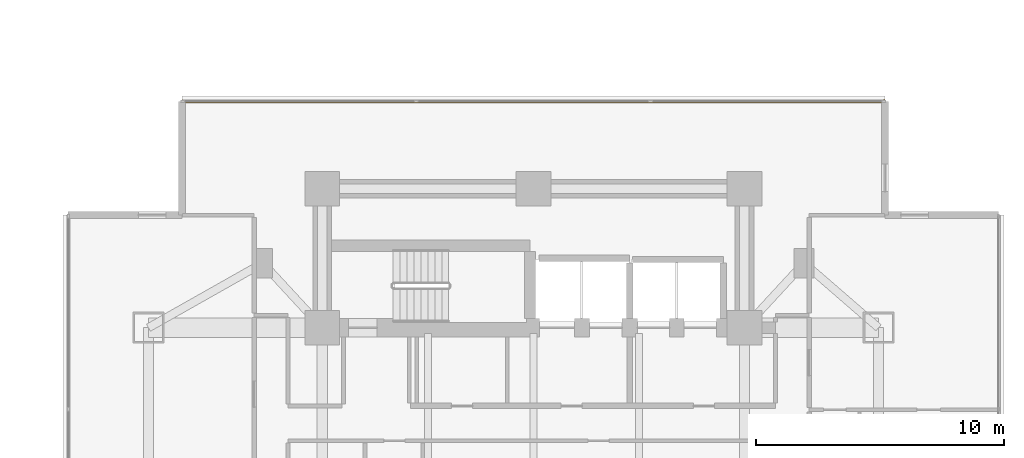
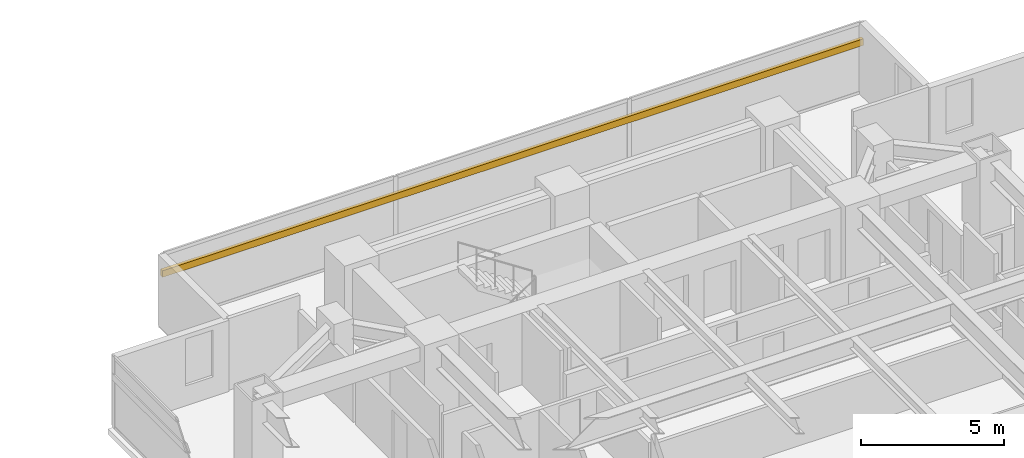
# One storey, part 25 of 25: 1 shading device.
"""IFC4 building model written with IfcOpenShell, lengths in metres."""

from ifc_helpers import new_model, si_unit, direction, frame, origin, origin_2d, place, context, subcontext, project, spatial, rectangle, extrude, material, material_profile, profile_set, type_object, element, save


model = new_model("IFC4")

# Units and contexts
model_context = context("Model", 3, precision=1e-05, world=origin(), true_north=direction((0.0, 1.0)))
body_context = subcontext(model_context, "Body", "Model", "MODEL_VIEW")
ifc_project = project(units=[si_unit("LENGTHUNIT", "METRE"), si_unit("AREAUNIT", "SQUARE_METRE"), si_unit("VOLUMEUNIT", "CUBIC_METRE"), si_unit("PLANEANGLEUNIT", "RADIAN"), si_unit("MASSUNIT", "GRAM", prefix="KILO")], contexts=[model_context])

# Site, building, storey
site_placement = place(None, origin())
site = spatial("IfcSite", under=ifc_project, at=site_placement, CompositionType="ELEMENT")
building_placement = place(site_placement, origin())
building = spatial("IfcBuilding", under=site, at=building_placement, Name="Mirazonda Arch Towers", CompositionType="ELEMENT")
storey_placement = place(building_placement, frame((0.0, 0.0, 35.60009765625)))
storey = spatial("IfcBuildingStorey", under=building, at=storey_placement, Name="L09", CompositionType="ELEMENT", Elevation=35.60009765625)

# Shading device
ifc_material = material(Name="Kiln-Fired Architectural Terracotta", Category="masonry")
ifc_material_profile = material_profile(ifc_material, rectangle(XDim=0.139892578125, YDim=0.280029296875, at=origin_2d()), Name="TERRA-BAG-140x280")
ifc_profile_set = profile_set([ifc_material_profile], Name="Kiln-Fired Architectural Terracotta")
shading_device_type = type_object("IfcShadingDeviceType", Name="BAGUETTE-3", PredefinedType="USERDEFINED", material=ifc_profile_set)
shading_device_placement = place(storey_placement, frame((62.347900390625, 44.313232421875, 2.188720703125), z_axis=(1.0, 0.0, 0.0), x_axis=(0.0, 1.0, 0.0)))
element("IfcShadingDevice", 1, at=shading_device_placement, inside=storey, type_object=shading_device_type, Name="L09 Glazed Terracotta Sun-Screen Baguette CW-L09-T2-N", ObjectType="BAGUETTE", PredefinedType="USERDEFINED", context=body_context, shape_type="SweptSolid", body=[
    extrude(rectangle(XDim=0.139892578125, YDim=0.280029296875, at=origin_2d()), origin(), (0.0, 0.0, 1.0), 28.30419921875),
])

save(model, "model.ifc")
